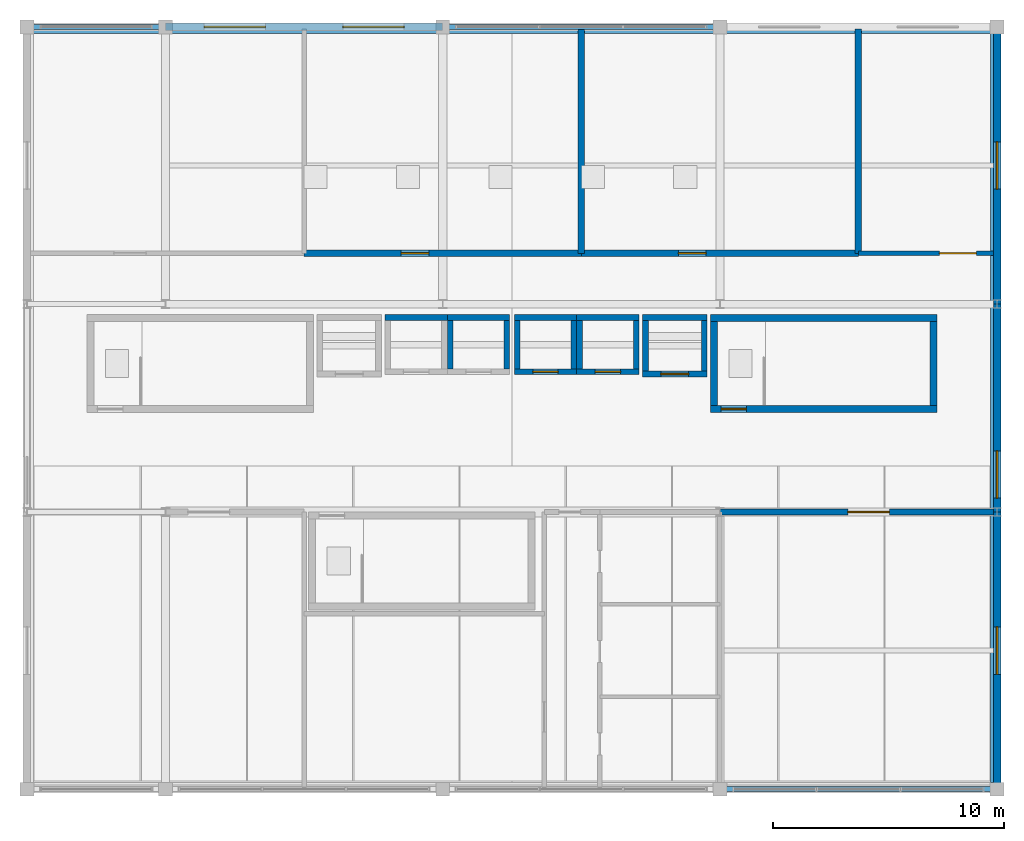
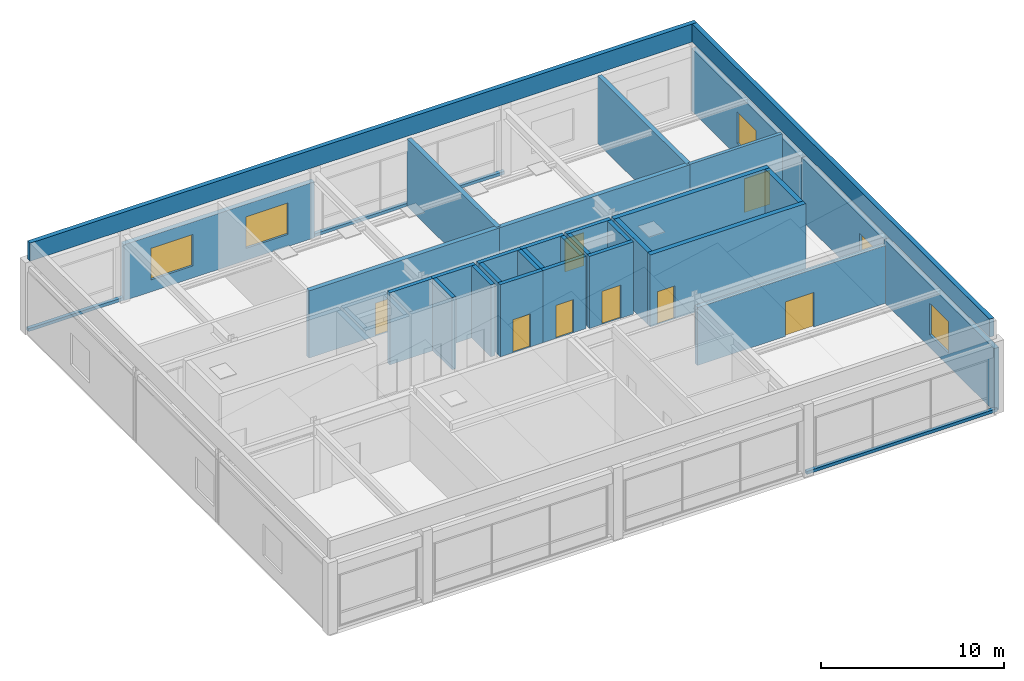
# One storey, part 14 of 16: 35 walls, 8 doors, 5 windows, 13 openings.
"""IFC4 building model written with IfcOpenShell, lengths in metres."""

from ifc_helpers import new_model, si_unit, direction, frame, frame_2d, origin, place, context, subcontext, project, spatial, rectangle, extrude, material, layer, layer_set, type_object, element, fill, save


model = new_model("IFC4")

# Units and contexts
model_context = context("Model", 3, precision=1e-05, world=origin(), true_north=direction((0.0, 1.0)))
body_context = subcontext(model_context, "Body", "Model", "MODEL_VIEW")
ifc_project = project(units=[si_unit("LENGTHUNIT", "METRE"), si_unit("AREAUNIT", "SQUARE_METRE"), si_unit("VOLUMEUNIT", "CUBIC_METRE"), si_unit("PLANEANGLEUNIT", "RADIAN"), si_unit("MASSUNIT", "GRAM", prefix="KILO")], contexts=[model_context])

# Site, building, storey
site_placement = place(None, origin())
site = spatial("IfcSite", under=ifc_project, at=site_placement, CompositionType="ELEMENT")
building_placement = place(site_placement, origin())
building = spatial("IfcBuilding", under=site, at=building_placement, Name="Kaldorvane Square Convention Centre", CompositionType="ELEMENT")
storey_placement = place(building_placement, frame((0.0, 0.0, 70.80000305175781)))
storey = spatial("IfcBuildingStorey", under=building, at=storey_placement, Name="L17", CompositionType="ELEMENT", Elevation=70.80000305175781)

# Wall, opening, door
ifc_material_1 = material(Name="Reinforced Concrete Masonry Acoustic Partition", Category="masonry")
ifc_layer_1 = layer(ifc_material_1, 0.279998779296875)
ifc_layer_set_1 = layer_set([ifc_layer_1], Name="Reinforced Concrete Masonry Acoustic Partition")
wall_type_1 = type_object("IfcWallType", Name="WL-ACO-280", PredefinedType="PARTITIONING", material=ifc_layer_set_1)
wall_1_placement = place(storey_placement, frame((77.83999633789062, 96.0, 0.0), z_axis=(0.0, 0.0, 1.0), x_axis=(-1.0, 0.0, 0.0)))
wall_1 = element("IfcWall", 1, at=wall_1_placement, inside=storey, type_object=wall_type_1, Name="Kaldorvane Rooftop Banquet Salon N Wall", PredefinedType="PARTITIONING", context=body_context, shape_type="SweptSolid", body=[
    extrude(rectangle(XDim=11.839996337890625, YDim=0.279998779296875, at=frame_2d((5.9199981689453125, 0.0))), origin(), (0.0, 0.0, 1.0), 3.85400390625),
])
opening_1_placement = place(wall_1_placement, frame((4.5, 0.0, 0.0)))
opening_1 = element("IfcOpeningElement", 2, at=opening_1_placement, cuts=wall_1, Name="Opening ID-15", PredefinedType="OPENING", context=body_context, shape_type="SweptSolid", body=[
    extrude(rectangle(XDim=1.8000030517578125, YDim=2.3000030517578125, at=frame_2d((0.899993896484375, 1.149993896484375))), frame((0.0, 0.154998779296875, 0.0), z_axis=(0.0, -1.0, 0.0), x_axis=(1.0, 0.0, 0.0)), (0.0, 0.0, 1.0), 0.30999755859375),
])
ifc_material_2 = material(Name="Acoustic Laminated Glass in Aluminum Frame", Category="aluminium")
door_type_1 = type_object("IfcDoorType", Name="DR-GL-1800X2300", OperationType="DOUBLE_DOOR_SINGLE_SWING", PredefinedType="DOOR", material=ifc_material_2)
door_1_placement = place(opening_1_placement, origin())
door_1 = element("IfcDoor", 3, at=door_1_placement, inside=storey, type_object=door_type_1, Name="Kaldorvane Rooftop Banquet Salon Door 1", OperationType="DOUBLE_DOOR_SINGLE_SWING", OverallHeight=2.3000030517578125, OverallWidth=1.8000030517578125, PredefinedType="DOOR", context=body_context, shape_type="SweptSolid", body=[
    extrude(rectangle(XDim=1.8000030517578125, YDim=2.3000030517578125, at=frame_2d((0.899993896484375, 1.149993896484375))), frame((0.0, 0.024993896484375, 0.0), z_axis=(0.0, -1.0, 0.0), x_axis=(1.0, 0.0, 0.0)), (0.0, 0.0, 1.0), 0.0500030517578125),
])
fill(opening_1, door_1)

wall_2_placement = place(storey_placement, frame((48.0, 107.19999694824219, 0.0), z_axis=(0.0, 0.0, 1.0), x_axis=(1.0, 0.0, 0.0)))
wall_2 = element("IfcWall", 4, at=wall_2_placement, inside=storey, type_object=wall_type_1, Name="Crown Chiller and Air-Handling Plant Room S Wall", PredefinedType="PARTITIONING", context=body_context, shape_type="SweptSolid", body=[
    extrude(rectangle(XDim=12.0, YDim=0.279998779296875, at=frame_2d((6.0, 0.0))), origin(), (0.0, 0.0, 1.0), 4.4799957275390625),
])
opening_2_placement = place(wall_2_placement, frame((4.1999969482421875, 0.0, 0.0)))
opening_2 = element("IfcOpeningElement", 5, at=opening_2_placement, cuts=wall_2, Name="Opening ID-14", PredefinedType="OPENING", context=body_context, shape_type="SweptSolid", body=[
    extrude(rectangle(XDim=1.1999969482421875, YDim=2.1999969482421875, at=frame_2d((0.600006103515625, 1.100006103515625))), frame((0.0, 0.154998779296875, 0.0), z_axis=(0.0, -1.0, 0.0), x_axis=(1.0, 0.0, 0.0)), (0.0, 0.0, 1.0), 0.30999755859375),
])
ifc_material_3 = material(Name="Insulated Hollow Metal Steel", Category="steel")
door_type_2 = type_object("IfcDoorType", Name="DR-PLANT-1200X2200", OperationType="SINGLE_SWING_LEFT", PredefinedType="DOOR", material=ifc_material_3)
door_2_placement = place(opening_2_placement, origin())
door_2 = element("IfcDoor", 6, at=door_2_placement, inside=storey, type_object=door_type_2, Name="Crown Chiller and Air-Handling Plant Room Door 1", OperationType="SINGLE_SWING_LEFT", OverallHeight=2.1999969482421875, OverallWidth=1.1999969482421875, PredefinedType="DOOR", context=body_context, shape_type="SweptSolid", body=[
    extrude(rectangle(XDim=1.1999969482421875, YDim=2.1999969482421875, at=frame_2d((0.600006103515625, 1.100006103515625))), frame((0.0, 0.024993896484375, 0.0), z_axis=(0.0, -1.0, 0.0), x_axis=(1.0, 0.0, 0.0)), (0.0, 0.0, 1.0), 0.0500030517578125),
])
fill(opening_2, door_2)

# Wall
wall_3_placement = place(storey_placement, frame((60.0, 107.19999694824219, 0.0), z_axis=(0.0, 0.0, 1.0), x_axis=(0.0, 1.0, 0.0)))
element("IfcWall", 7, at=wall_3_placement, inside=storey, type_object=wall_type_1, Name="Crown Chiller and Air-Handling Plant Room E Wall", PredefinedType="PARTITIONING", context=body_context, shape_type="SweptSolid", body=[
    extrude(rectangle(XDim=9.714996337890625, YDim=0.279998779296875, at=frame_2d((4.8574981689453125, 0.0))), origin(), (0.0, 0.0, 1.0), 4.4799957275390625),
])

# Wall, opening, door
wall_4_placement = place(storey_placement, frame((60.0, 107.19999694824219, 0.0), z_axis=(0.0, 0.0, 1.0), x_axis=(1.0, 0.0, 0.0)))
wall_4 = element("IfcWall", 8, at=wall_4_placement, inside=storey, type_object=wall_type_1, Name="Crown Elevator Machine and Boiler Plant Room S Wall", PredefinedType="PARTITIONING", context=body_context, shape_type="SweptSolid", body=[
    extrude(rectangle(XDim=12.0, YDim=0.279998779296875, at=frame_2d((6.0, 0.0))), origin(), (0.0, 0.0, 1.0), 4.4799957275390625),
])
opening_3_placement = place(wall_4_placement, frame((4.1999969482421875, 0.0, 0.0)))
opening_3 = element("IfcOpeningElement", 9, at=opening_3_placement, cuts=wall_4, Name="Opening ID-14", PredefinedType="OPENING", context=body_context, shape_type="SweptSolid", body=[
    extrude(rectangle(XDim=1.1999969482421875, YDim=2.1999969482421875, at=frame_2d((0.600006103515625, 1.100006103515625))), frame((0.0, 0.154998779296875, 0.0), z_axis=(0.0, -1.0, 0.0), x_axis=(1.0, 0.0, 0.0)), (0.0, 0.0, 1.0), 0.30999755859375),
])
door_3_placement = place(opening_3_placement, origin())
door_3 = element("IfcDoor", 10, at=door_3_placement, inside=storey, type_object=door_type_2, Name="Crown Elevator Machine and Boiler Plant Room Door 1", OperationType="SINGLE_SWING_LEFT", OverallHeight=2.1999969482421875, OverallWidth=1.1999969482421875, PredefinedType="DOOR", context=body_context, shape_type="SweptSolid", body=[
    extrude(rectangle(XDim=1.1999969482421875, YDim=2.1999969482421875, at=frame_2d((0.600006103515625, 1.100006103515625))), frame((0.0, 0.024993896484375, 0.0), z_axis=(0.0, -1.0, 0.0), x_axis=(1.0, 0.0, 0.0)), (0.0, 0.0, 1.0), 0.0500030517578125),
])
fill(opening_3, door_3)

# Wall
wall_5_placement = place(storey_placement, frame((72.0, 107.19999694824219, 0.0), z_axis=(0.0, 0.0, 1.0), x_axis=(0.0, 1.0, 0.0)))
element("IfcWall", 11, at=wall_5_placement, inside=storey, type_object=wall_type_1, Name="Crown Elevator Machine and Boiler Plant Room E Wall", PredefinedType="PARTITIONING", context=body_context, shape_type="SweptSolid", body=[
    extrude(rectangle(XDim=9.714996337890625, YDim=0.279998779296875, at=frame_2d((4.8574981689453125, 0.0))), origin(), (0.0, 0.0, 1.0), 4.4799957275390625),
])

# Wall, opening, door
ifc_material_4 = material(Name="Fire-Rated Gypsum Board on Acoustic Steel Studs", Category="steel")
ifc_layer_2 = layer(ifc_material_4, 0.1999969482421875)
ifc_layer_set_2 = layer_set([ifc_layer_2], Name="Fire-Rated Gypsum Board on Acoustic Steel Studs")
wall_type_2 = type_object("IfcWallType", Name="WL-CORR-200", PredefinedType="PARTITIONING", material=ifc_layer_set_2)
wall_6_placement = place(storey_placement, frame((72.0, 107.19999694824219, 0.0), z_axis=(0.0, 0.0, 1.0), x_axis=(1.0, 0.0, 0.0)))
wall_6 = element("IfcWall", 12, at=wall_6_placement, inside=storey, type_object=wall_type_2, Name="Skyline Observatory Boardroom S Wall", PredefinedType="PARTITIONING", context=body_context, shape_type="SweptSolid", body=[
    extrude(rectangle(XDim=5.839996337890625, YDim=0.1999969482421875, at=frame_2d((2.9199981689453125, 0.0))), origin(), (0.0, 0.0, 1.0), 4.4799957275390625),
])
opening_4_placement = place(wall_6_placement, frame((3.5, 0.0, 0.0)))
opening_4 = element("IfcOpeningElement", 13, at=opening_4_placement, cuts=wall_6, Name="Opening ID-07", PredefinedType="OPENING", context=body_context, shape_type="SweptSolid", body=[
    extrude(rectangle(XDim=1.600006103515625, YDim=2.25, at=frame_2d((0.8000030517578125, 1.125))), frame((0.0, 0.114990234375, 0.0), z_axis=(0.0, -1.0, 0.0), x_axis=(1.0, 0.0, 0.0)), (0.0, 0.0, 1.0), 0.2299957275390625),
])
ifc_material_5 = material(Name="Architectural Solid-Core White Oak")
door_type_3 = type_object("IfcDoorType", Name="DR-MEET-1600X2250", OperationType="DOUBLE_DOOR_SINGLE_SWING", PredefinedType="DOOR", material=ifc_material_5)
door_4_placement = place(opening_4_placement, origin())
door_4 = element("IfcDoor", 14, at=door_4_placement, inside=storey, type_object=door_type_3, Name="Skyline Observatory Boardroom Door 1", OperationType="DOUBLE_DOOR_SINGLE_SWING", OverallHeight=2.25, OverallWidth=1.600006103515625, PredefinedType="DOOR", context=body_context, shape_type="SweptSolid", body=[
    extrude(rectangle(XDim=1.600006103515625, YDim=2.25, at=frame_2d((0.8000030517578125, 1.125))), frame((0.0, 0.024993896484375, 0.0), z_axis=(0.0, -1.0, 0.0), x_axis=(1.0, 0.0, 0.0)), (0.0, 0.0, 1.0), 0.0500030517578125),
])
fill(opening_4, door_4)

# Wall, openings, windows
ifc_material_6 = material(Name="Concrete f'c = 35 MPa (Normalweight)", Category="concrete")
ifc_layer_3 = layer(ifc_material_6, 0.32000732421875)
ifc_layer_set_3 = layer_set([ifc_layer_3], Name="Concrete f'c = 35 MPa (Normalweight)")
wall_type_3 = type_object("IfcWallType", Name="WL-EXT-320", PredefinedType="STANDARD", material=ifc_layer_set_3)
wall_7_placement = place(storey_placement, frame((54.0, 117.0, 0.0), z_axis=(0.0, 0.0, 1.0), x_axis=(-1.0, 0.0, 0.0)))
wall_7 = element("IfcWall", 15, at=wall_7_placement, inside=storey, type_object=wall_type_3, Name="Hotel N Brutalist Facade Wall (L17)", PredefinedType="STANDARD", context=body_context, shape_type="SweptSolid", body=[
    extrude(rectangle(XDim=12.0, YDim=0.32000732421875, at=frame_2d((6.0, 0.0))), origin(), (0.0, 0.0, 1.0), 3.7259979248046875),
])
opening_5_placement = place(wall_7_placement, frame((1.6750030517578125, 0.0, 0.8000030517578125)))
opening_5 = element("IfcOpeningElement", 16, at=opening_5_placement, cuts=wall_7, Name="Opening W-27", PredefinedType="OPENING", context=body_context, shape_type="SweptSolid", body=[
    extrude(rectangle(XDim=2.649993896484375, YDim=2.100006103515625, at=frame_2d((1.3249969482421875, 1.0500030517578125))), frame((0.0, 0.1750030517578125, 0.0), z_axis=(0.0, -1.0, 0.0), x_axis=(1.0, 0.0, 0.0)), (0.0, 0.0, 1.0), 0.350006103515625),
])
opening_6_placement = place(wall_7_placement, frame((7.6750030517578125, 0.0, 0.8000030517578125)))
opening_6 = element("IfcOpeningElement", 17, at=opening_6_placement, cuts=wall_7, Name="Opening W-27", PredefinedType="OPENING", context=body_context, shape_type="SweptSolid", body=[
    extrude(rectangle(XDim=2.649993896484375, YDim=2.100006103515625, at=frame_2d((1.3249969482421875, 1.0500030517578125))), frame((0.0, 0.1750030517578125, 0.0), z_axis=(0.0, -1.0, 0.0), x_axis=(1.0, 0.0, 0.0)), (0.0, 0.0, 1.0), 0.350006103515625),
])
ifc_material_7 = material(Name="Anodized Aluminum and Low-E Insulated Glazing", Category="aluminium")
window_type_1 = type_object("IfcWindowType", Name="WN-PNT-2650X2100", PartitioningType="DOUBLE_PANEL_VERTICAL", PredefinedType="WINDOW", material=ifc_material_7)
window_1_placement = place(opening_5_placement, origin())
window_1 = element("IfcWindow", 18, at=window_1_placement, inside=storey, type_object=window_type_1, Name="Hotel N Window (L17)", OverallHeight=2.100006103515625, OverallWidth=2.649993896484375, PartitioningType="DOUBLE_PANEL_VERTICAL", PredefinedType="WINDOW", context=body_context, shape_type="SweptSolid", body=[
    extrude(rectangle(XDim=2.649993896484375, YDim=2.100006103515625, at=frame_2d((1.3249969482421875, 1.0500030517578125))), frame((0.0, 0.029998779296875, 0.0), z_axis=(0.0, -1.0, 0.0), x_axis=(1.0, 0.0, 0.0)), (0.0, 0.0, 1.0), 0.05999755859375),
])
fill(opening_5, window_1)
window_2_placement = place(opening_6_placement, origin())
window_2 = element("IfcWindow", 19, at=window_2_placement, inside=storey, type_object=window_type_1, Name="Hotel N Window (L17)", OverallHeight=2.100006103515625, OverallWidth=2.649993896484375, PartitioningType="DOUBLE_PANEL_VERTICAL", PredefinedType="WINDOW", context=body_context, shape_type="SweptSolid", body=[
    extrude(rectangle(XDim=2.649993896484375, YDim=2.100006103515625, at=frame_2d((1.3249969482421875, 1.0500030517578125))), frame((0.0, 0.029998779296875, 0.0), z_axis=(0.0, -1.0, 0.0), x_axis=(1.0, 0.0, 0.0)), (0.0, 0.0, 1.0), 0.05999755859375),
])
fill(opening_6, window_2)

# Wall, opening, window
wall_8_placement = place(storey_placement, frame((78.0, 84.0, 0.0), z_axis=(0.0, 0.0, 1.0), x_axis=(0.0, 1.0, 0.0)))
wall_8 = element("IfcWall", 20, at=wall_8_placement, inside=storey, type_object=wall_type_3, Name="Hotel E End Wall (L17)", PredefinedType="STANDARD", context=body_context, shape_type="SweptSolid", body=[
    extrude(rectangle(XDim=12.0, YDim=0.32000732421875, at=frame_2d((6.0, 0.0))), origin(), (0.0, 0.0, 1.0), 4.170989990234375),
])
opening_7_placement = place(wall_8_placement, frame((4.975006103515625, 0.0, 0.850006103515625)))
opening_7 = element("IfcOpeningElement", 21, at=opening_7_placement, cuts=wall_8, Name="Opening W-28", PredefinedType="OPENING", context=body_context, shape_type="SweptSolid", body=[
    extrude(rectangle(XDim=2.0500030517578125, YDim=2.100006103515625, at=frame_2d((1.024993896484375, 1.0500030517578125))), frame((0.0, 0.1750030517578125, 0.0), z_axis=(0.0, -1.0, 0.0), x_axis=(1.0, 0.0, 0.0)), (0.0, 0.0, 1.0), 0.350006103515625),
])
window_type_2 = type_object("IfcWindowType", Name="WN-PNT-2050X2100", PartitioningType="DOUBLE_PANEL_VERTICAL", PredefinedType="WINDOW", material=ifc_material_7)
window_3_placement = place(opening_7_placement, origin())
window_3 = element("IfcWindow", 22, at=window_3_placement, inside=storey, type_object=window_type_2, Name="Hotel End Window E (L17)", OverallHeight=2.100006103515625, OverallWidth=2.0500030517578125, PartitioningType="DOUBLE_PANEL_VERTICAL", PredefinedType="WINDOW", context=body_context, shape_type="SweptSolid", body=[
    extrude(rectangle(XDim=2.0500030517578125, YDim=2.100006103515625, at=frame_2d((1.024993896484375, 1.0500030517578125))), frame((0.0, 0.029998779296875, 0.0), z_axis=(0.0, -1.0, 0.0), x_axis=(1.0, 0.0, 0.0)), (0.0, 0.0, 1.0), 0.05999755859375),
])
fill(opening_7, window_3)

wall_9_placement = place(storey_placement, frame((78.0, 96.0, 0.0), z_axis=(0.0, 0.0, 1.0), x_axis=(0.0, 1.0, 0.0)))
wall_9 = element("IfcWall", 23, at=wall_9_placement, inside=storey, type_object=wall_type_3, Name="Hotel E End Wall (L17)", PredefinedType="STANDARD", context=body_context, shape_type="SweptSolid", body=[
    extrude(rectangle(XDim=9.0, YDim=0.32000732421875, at=frame_2d((4.5, 0.0))), origin(), (0.0, 0.0, 1.0), 4.170989990234375),
])
opening_8_placement = place(wall_9_placement, frame((0.600006103515625, 0.0, 0.850006103515625)))
opening_8 = element("IfcOpeningElement", 24, at=opening_8_placement, cuts=wall_9, Name="Opening W-28", PredefinedType="OPENING", context=body_context, shape_type="SweptSolid", body=[
    extrude(rectangle(XDim=2.0500030517578125, YDim=2.100006103515625, at=frame_2d((1.024993896484375, 1.0500030517578125))), frame((0.0, 0.1750030517578125, 0.0), z_axis=(0.0, -1.0, 0.0), x_axis=(1.0, 0.0, 0.0)), (0.0, 0.0, 1.0), 0.350006103515625),
])
window_4_placement = place(opening_8_placement, origin())
window_4 = element("IfcWindow", 25, at=window_4_placement, inside=storey, type_object=window_type_2, Name="Hotel End Window E (L17)", OverallHeight=2.100006103515625, OverallWidth=2.0500030517578125, PartitioningType="DOUBLE_PANEL_VERTICAL", PredefinedType="WINDOW", context=body_context, shape_type="SweptSolid", body=[
    extrude(rectangle(XDim=2.0500030517578125, YDim=2.100006103515625, at=frame_2d((1.024993896484375, 1.0500030517578125))), frame((0.0, 0.029998779296875, 0.0), z_axis=(0.0, -1.0, 0.0), x_axis=(1.0, 0.0, 0.0)), (0.0, 0.0, 1.0), 0.05999755859375),
])
fill(opening_8, window_4)

wall_10_placement = place(storey_placement, frame((78.0, 105.0, 0.0), z_axis=(0.0, 0.0, 1.0), x_axis=(0.0, 1.0, 0.0)))
wall_10 = element("IfcWall", 26, at=wall_10_placement, inside=storey, type_object=wall_type_3, Name="Hotel E End Wall (L17)", PredefinedType="STANDARD", context=body_context, shape_type="SweptSolid", body=[
    extrude(rectangle(XDim=12.0, YDim=0.32000732421875, at=frame_2d((6.0, 0.0))), origin(), (0.0, 0.0, 1.0), 4.170989990234375),
])
opening_9_placement = place(wall_10_placement, frame((4.975006103515625, 0.0, 0.850006103515625)))
opening_9 = element("IfcOpeningElement", 27, at=opening_9_placement, cuts=wall_10, Name="Opening W-28", PredefinedType="OPENING", context=body_context, shape_type="SweptSolid", body=[
    extrude(rectangle(XDim=2.0500030517578125, YDim=2.100006103515625, at=frame_2d((1.024993896484375, 1.0500030517578125))), frame((0.0, 0.1750030517578125, 0.0), z_axis=(0.0, -1.0, 0.0), x_axis=(1.0, 0.0, 0.0)), (0.0, 0.0, 1.0), 0.350006103515625),
])
window_5_placement = place(opening_9_placement, origin())
window_5 = element("IfcWindow", 28, at=window_5_placement, inside=storey, type_object=window_type_2, Name="Hotel End Window E (L17)", OverallHeight=2.100006103515625, OverallWidth=2.0500030517578125, PartitioningType="DOUBLE_PANEL_VERTICAL", PredefinedType="WINDOW", context=body_context, shape_type="SweptSolid", body=[
    extrude(rectangle(XDim=2.0500030517578125, YDim=2.100006103515625, at=frame_2d((1.024993896484375, 1.0500030517578125))), frame((0.0, 0.029998779296875, 0.0), z_axis=(0.0, -1.0, 0.0), x_axis=(1.0, 0.0, 0.0)), (0.0, 0.0, 1.0), 0.05999755859375),
])
fill(opening_9, window_5)

# Walls
ifc_layer_4 = layer(ifc_material_6, 0.220001220703125)
ifc_layer_set_4 = layer_set([ifc_layer_4], Name="Concrete f'c = 35 MPa (Normalweight)")
wall_type_4 = type_object("IfcWallType", Name="WL-PAR-220", PredefinedType="PARAPET", material=ifc_layer_set_4)
wall_11_placement = place(storey_placement, frame((66.0, 84.0, 0.0), z_axis=(0.0, 0.0, 1.0), x_axis=(1.0, 0.0, 0.0)))
element("IfcWall", 29, at=wall_11_placement, inside=storey, type_object=wall_type_4, Name="Penthouse Glazing Sill (S)", PredefinedType="PARAPET", context=body_context, shape_type="SweptSolid", body=[
    extrude(rectangle(XDim=12.0, YDim=0.220001220703125, at=frame_2d((6.0, 0.0))), origin(), (0.0, 0.0, 1.0), 0.1999969482421875),
])
wall_12_placement = place(storey_placement, frame((42.0, 117.0, 0.0), z_axis=(0.0, 0.0, 1.0), x_axis=(-1.0, 0.0, 0.0)))
element("IfcWall", 30, at=wall_12_placement, inside=storey, type_object=wall_type_4, Name="Penthouse Glazing Sill (N)", PredefinedType="PARAPET", context=body_context, shape_type="SweptSolid", body=[
    extrude(rectangle(XDim=6.0, YDim=0.220001220703125, at=frame_2d((3.0, 0.0))), origin(), (0.0, 0.0, 1.0), 0.1999969482421875),
])
wall_13_placement = place(storey_placement, frame((66.0, 117.0, 0.0), z_axis=(0.0, 0.0, 1.0), x_axis=(-1.0, 0.0, 0.0)))
element("IfcWall", 31, at=wall_13_placement, inside=storey, type_object=wall_type_4, Name="Penthouse Glazing Sill (N)", PredefinedType="PARAPET", context=body_context, shape_type="SweptSolid", body=[
    extrude(rectangle(XDim=12.0, YDim=0.220001220703125, at=frame_2d((6.0, 0.0))), origin(), (0.0, 0.0, 1.0), 0.1999969482421875),
])
ifc_layer_5 = layer(ifc_material_6, 0.279998779296875)
ifc_layer_set_5 = layer_set([ifc_layer_5], Name="Concrete f'c = 35 MPa (Normalweight)")
wall_type_5 = type_object("IfcWallType", Name="WL-PAR-280", PredefinedType="PARAPET", material=ifc_layer_set_5)
wall_14_placement = place(storey_placement, frame((77.86000061035156, 84.27999877929688, 4.8000030517578125), z_axis=(0.0, 0.0, 1.0), x_axis=(0.0, 1.0, 0.0)))
element("IfcWall", 32, at=wall_14_placement, inside=storey, type_object=wall_type_5, Name="Tower Crown Roof Parapet E", PredefinedType="PARAPET", context=body_context, shape_type="SweptSolid", body=[
    extrude(rectangle(XDim=32.44000244140625, YDim=0.279998779296875, at=frame_2d((16.220001220703125, 0.0))), origin(), (0.0, 0.0, 1.0), 1.1999969482421875),
])
wall_15_placement = place(storey_placement, frame((78.0, 116.86000061035156, 4.8000030517578125), z_axis=(0.0, 0.0, 1.0), x_axis=(-1.0, 0.0, 0.0)))
element("IfcWall", 33, at=wall_15_placement, inside=storey, type_object=wall_type_5, Name="Tower Crown Roof Parapet N", PredefinedType="PARAPET", context=body_context, shape_type="SweptSolid", body=[
    extrude(rectangle(XDim=42.0, YDim=0.279998779296875, at=frame_2d((21.0, 0.0))), origin(), (0.0, 0.0, 1.0), 1.1999969482421875),
])

# Wall, opening, door
ifc_material_8 = material(Name="Concrete f'c = 55 MPa (Normalweight)", Category="concrete")
ifc_layer_6 = layer(ifc_material_8, 0.3000030517578125)
ifc_layer_set_6 = layer_set([ifc_layer_6], Name="Concrete f'c = 55 MPa (Normalweight)")
wall_type_6 = type_object("IfcWallType", Name="WL-SHAFT-300", PredefinedType="SHEAR", material=ifc_layer_set_6)
wall_16_placement = place(storey_placement, frame((65.60000610351562, 100.46000671386719, 0.0), z_axis=(0.0, 0.0, 1.0), x_axis=(1.0, 0.0, 0.0)))
wall_16 = element("IfcWall", 34, at=wall_16_placement, inside=storey, type_object=wall_type_6, Name="Core Enclosure Wall stair:ST-T2-S (L17)", PredefinedType="SHEAR", context=body_context, shape_type="SweptSolid", body=[
    extrude(rectangle(XDim=9.79998779296875, YDim=0.3000030517578125, at=frame_2d((4.899993896484375, 0.0))), origin(), (0.0, 0.0, 1.0), 4.8000030517578125),
])
opening_10_placement = place(wall_16_placement, frame((0.4499969482421875, 0.0, 0.0)))
opening_10 = element("IfcOpeningElement", 35, at=opening_10_placement, cuts=wall_16, Name="Opening FD90-S1", PredefinedType="OPENING", context=body_context, shape_type="SweptSolid", body=[
    extrude(rectangle(XDim=1.100006103515625, YDim=2.1999969482421875, at=frame_2d((0.5500030517578125, 1.100006103515625))), frame((0.0, 0.165008544921875, 0.0), z_axis=(0.0, -1.0, 0.0), x_axis=(1.0, 0.0, 0.0)), (0.0, 0.0, 1.0), 0.3300018310546875),
])
ifc_material_9 = material(Name="Fire-Rated Hollow Metal Steel", Category="steel")
door_type_4 = type_object("IfcDoorType", Name="DR-STAIR-1100", OperationType="SINGLE_SWING_RIGHT", PredefinedType="DOOR", material=ifc_material_9)
door_5_placement = place(opening_10_placement, origin())
door_5 = element("IfcDoor", 36, at=door_5_placement, inside=storey, type_object=door_type_4, Name="Tower Exit Stair T2 Fire Door (L17)", OperationType="SINGLE_SWING_RIGHT", OverallHeight=2.1999969482421875, OverallWidth=1.100006103515625, PredefinedType="DOOR", context=body_context, shape_type="SweptSolid", body=[
    extrude(rectangle(XDim=1.100006103515625, YDim=2.1999969482421875, at=frame_2d((0.5500030517578125, 1.100006103515625))), frame((0.0, 0.024993896484375, 0.0), z_axis=(0.0, -1.0, 0.0), x_axis=(1.0, 0.0, 0.0)), (0.0, 0.0, 1.0), 0.0500030517578125),
])
fill(opening_10, door_5)

# Walls
wall_17_placement = place(storey_placement, frame((75.39999389648438, 104.39999389648438, 0.0), z_axis=(0.0, 0.0, 1.0), x_axis=(-1.0, 0.0, 0.0)))
element("IfcWall", 37, at=wall_17_placement, inside=storey, type_object=wall_type_6, Name="Core Enclosure Wall stair:ST-T2-N (L17)", PredefinedType="SHEAR", context=body_context, shape_type="SweptSolid", body=[
    extrude(rectangle(XDim=9.79998779296875, YDim=0.3000030517578125, at=frame_2d((4.899993896484375, 0.0))), origin(), (0.0, 0.0, 1.0), 4.8000030517578125),
])
for number, where, z_axis, x_axis, name in (
    (38, (65.75, 104.25, 0.0), (0.0, 0.0, 1.0), (0.0, -1.0, 0.0), "Core Enclosure Wall stair:ST-T2-W (L17)"),
    (39, (75.25, 100.61000061035156, 0.0), (0.0, 0.0, 1.0), (0.0, 1.0, 0.0), "Core Enclosure Wall stair:ST-T2-E (L17)"),
):
    element("IfcWall", number, at=place(storey_placement, frame(where, z_axis=z_axis, x_axis=x_axis)), inside=storey, type_object=wall_type_6, Name=name, PredefinedType="SHEAR", context=body_context, shape_type="SweptSolid", body=[
        extrude(rectangle(XDim=3.6399993896484375, YDim=0.3000030517578125, at=frame_2d((1.82000732421875, 0.0))), origin(), (0.0, 0.0, 1.0), 4.8000030517578125),
    ])

# Wall, opening, door
wall_18_placement = place(storey_placement, frame((62.649993896484375, 101.97500610351562, 0.0), z_axis=(0.0, 0.0, 1.0), x_axis=(1.0, 0.0, 0.0)))
wall_18 = element("IfcWall", 40, at=wall_18_placement, inside=storey, type_object=wall_type_6, Name="Core Enclosure Wall lift:FSAE-02-S (L17)", PredefinedType="SHEAR", context=body_context, shape_type="SweptSolid", body=[
    extrude(rectangle(XDim=2.8000030517578125, YDim=0.25, at=frame_2d((1.399993896484375, 0.0))), origin(), (0.0, 0.0, 1.0), 4.8000030517578125),
])
opening_11_placement = place(wall_18_placement, frame((0.8000030517578125, 0.0, 0.0)))
opening_11 = element("IfcOpeningElement", 41, at=opening_11_placement, cuts=wall_18, Name="Opening LD-02", PredefinedType="OPENING", context=body_context, shape_type="SweptSolid", body=[
    extrude(rectangle(XDim=1.1999969482421875, YDim=2.1999969482421875, at=frame_2d((0.600006103515625, 1.100006103515625))), frame((0.0, 0.1399993896484375, 0.0), z_axis=(0.0, -1.0, 0.0), x_axis=(1.0, 0.0, 0.0)), (0.0, 0.0, 1.0), 0.279998779296875),
])
ifc_material_10 = material(Name="Stainless Steel Elevator Door Assembly", Category="steel")
door_type_5 = type_object("IfcDoorType", Name="DR-LIFT-1200", OperationType="DOUBLE_DOOR_SLIDING", PredefinedType="DOOR", material=ifc_material_10)
door_6_placement = place(opening_11_placement, origin())
door_6 = element("IfcDoor", 42, at=door_6_placement, inside=storey, type_object=door_type_5, Name="Elevator Landing Door FSAE-02 (L17)", OperationType="DOUBLE_DOOR_SLIDING", OverallHeight=2.1999969482421875, OverallWidth=1.1999969482421875, PredefinedType="DOOR", context=body_context, shape_type="SweptSolid", body=[
    extrude(rectangle(XDim=1.1999969482421875, YDim=2.1999969482421875, at=frame_2d((0.600006103515625, 1.100006103515625))), frame((0.0, 0.024993896484375, 0.0), z_axis=(0.0, -1.0, 0.0), x_axis=(1.0, 0.0, 0.0)), (0.0, 0.0, 1.0), 0.0500030517578125),
])
fill(opening_11, door_6)

# Walls
wall_19_placement = place(storey_placement, frame((65.44999694824219, 104.42500305175781, 0.0), z_axis=(0.0, 0.0, 1.0), x_axis=(-1.0, 0.0, 0.0)))
element("IfcWall", 43, at=wall_19_placement, inside=storey, type_object=wall_type_6, Name="Core Enclosure Wall lift:FSAE-02-N (L17)", PredefinedType="SHEAR", context=body_context, shape_type="SweptSolid", body=[
    extrude(rectangle(XDim=2.8000030517578125, YDim=0.25, at=frame_2d((1.399993896484375, 0.0))), origin(), (0.0, 0.0, 1.0), 4.8000030517578125),
])
for number, where, z_axis, x_axis, name in (
    (44, (62.774993896484375, 104.30000305175781, 0.0), (0.0, 0.0, 1.0), (0.0, -1.0, 0.0), "Core Enclosure Wall lift:FSAE-02-W (L17)"),
    (45, (65.32499694824219, 102.10000610351562, 0.0), (0.0, 0.0, 1.0), (0.0, 1.0, 0.0), "Core Enclosure Wall lift:FSAE-02-E (L17)"),
):
    element("IfcWall", number, at=place(storey_placement, frame(where, z_axis=z_axis, x_axis=x_axis)), inside=storey, type_object=wall_type_6, Name=name, PredefinedType="SHEAR", context=body_context, shape_type="SweptSolid", body=[
        extrude(rectangle(XDim=2.1999969482421875, YDim=0.25, at=frame_2d((1.100006103515625, 0.0))), origin(), (0.0, 0.0, 1.0), 4.8000030517578125),
    ])
for number, where, z_axis, x_axis, name in (
    (46, (54.19999694824219, 104.42500305175781, 0.0), (0.0, 0.0, 1.0), (-1.0, 0.0, 0.0), "Core Enclosure Wall lift:EL-P1-N (L17)"),
    (47, (56.899993896484375, 104.42500305175781, 0.0), (0.0, 0.0, 1.0), (-1.0, 0.0, 0.0), "Core Enclosure Wall lift:EL-P2-N (L17)"),
):
    element("IfcWall", number, at=place(storey_placement, frame(where, z_axis=z_axis, x_axis=x_axis)), inside=storey, type_object=wall_type_6, Name=name, PredefinedType="SHEAR", context=body_context, shape_type="SweptSolid", body=[
        extrude(rectangle(XDim=2.6999969482421875, YDim=0.25, at=frame_2d((1.350006103515625, 0.0))), origin(), (0.0, 0.0, 1.0), 4.8000030517578125),
    ])
for number, where, z_axis, x_axis, name in (
    (48, (54.32499694824219, 104.30000305175781, 0.0), (0.0, 0.0, 1.0), (0.0, -1.0, 0.0), "Core Enclosure Wall lift:EL-P2-W (L17)"),
    (49, (56.774993896484375, 102.19999694824219, 0.0), (0.0, 0.0, 1.0), (0.0, 1.0, 0.0), "Core Enclosure Wall lift:EL-P2-E (L17)"),
):
    element("IfcWall", number, at=place(storey_placement, frame(where, z_axis=z_axis, x_axis=x_axis)), inside=storey, type_object=wall_type_6, Name=name, PredefinedType="SHEAR", context=body_context, shape_type="SweptSolid", body=[
        extrude(rectangle(XDim=2.100006103515625, YDim=0.25, at=frame_2d((1.0500030517578125, 0.0))), origin(), (0.0, 0.0, 1.0), 4.8000030517578125),
    ])

# Wall, opening, door
wall_20_placement = place(storey_placement, frame((57.100006103515625, 102.07499694824219, 0.0), z_axis=(0.0, 0.0, 1.0), x_axis=(1.0, 0.0, 0.0)))
wall_20 = element("IfcWall", 50, at=wall_20_placement, inside=storey, type_object=wall_type_6, Name="Core Enclosure Wall lift:EL-P3-S (L17)", PredefinedType="SHEAR", context=body_context, shape_type="SweptSolid", body=[
    extrude(rectangle(XDim=2.6999969482421875, YDim=0.25, at=frame_2d((1.350006103515625, 0.0))), origin(), (0.0, 0.0, 1.0), 4.8000030517578125),
])
opening_12_placement = place(wall_20_placement, frame((0.8000030517578125, 0.0, 0.0)))
opening_12 = element("IfcOpeningElement", 51, at=opening_12_placement, cuts=wall_20, Name="Opening LD-01", PredefinedType="OPENING", context=body_context, shape_type="SweptSolid", body=[
    extrude(rectangle(XDim=1.100006103515625, YDim=2.1999969482421875, at=frame_2d((0.5500030517578125, 1.100006103515625))), frame((0.0, 0.1399993896484375, 0.0), z_axis=(0.0, -1.0, 0.0), x_axis=(1.0, 0.0, 0.0)), (0.0, 0.0, 1.0), 0.279998779296875),
])
door_type_6 = type_object("IfcDoorType", Name="DR-LIFT-1100", OperationType="DOUBLE_DOOR_SLIDING", PredefinedType="DOOR", material=ifc_material_10)
door_7_placement = place(opening_12_placement, origin())
door_7 = element("IfcDoor", 52, at=door_7_placement, inside=storey, type_object=door_type_6, Name="Elevator Landing Door EL-P3 (L17)", OperationType="DOUBLE_DOOR_SLIDING", OverallHeight=2.1999969482421875, OverallWidth=1.100006103515625, PredefinedType="DOOR", context=body_context, shape_type="SweptSolid", body=[
    extrude(rectangle(XDim=1.100006103515625, YDim=2.1999969482421875, at=frame_2d((0.5500030517578125, 1.100006103515625))), frame((0.0, 0.024993896484375, 0.0), z_axis=(0.0, -1.0, 0.0), x_axis=(1.0, 0.0, 0.0)), (0.0, 0.0, 1.0), 0.0500030517578125),
])
fill(opening_12, door_7)

# Walls
wall_21_placement = place(storey_placement, frame((59.80000305175781, 104.42500305175781, 0.0), z_axis=(0.0, 0.0, 1.0), x_axis=(-1.0, 0.0, 0.0)))
element("IfcWall", 53, at=wall_21_placement, inside=storey, type_object=wall_type_6, Name="Core Enclosure Wall lift:EL-P3-N (L17)", PredefinedType="SHEAR", context=body_context, shape_type="SweptSolid", body=[
    extrude(rectangle(XDim=2.6999969482421875, YDim=0.25, at=frame_2d((1.350006103515625, 0.0))), origin(), (0.0, 0.0, 1.0), 4.8000030517578125),
])
for number, where, z_axis, x_axis, name in (
    (54, (57.225006103515625, 104.30000305175781, 0.0), (0.0, 0.0, 1.0), (0.0, -1.0, 0.0), "Core Enclosure Wall lift:EL-P3-W (L17)"),
    (55, (59.67500305175781, 102.19999694824219, 0.0), (0.0, 0.0, 1.0), (0.0, 1.0, 0.0), "Core Enclosure Wall lift:EL-P3-E (L17)"),
):
    element("IfcWall", number, at=place(storey_placement, frame(where, z_axis=z_axis, x_axis=x_axis)), inside=storey, type_object=wall_type_6, Name=name, PredefinedType="SHEAR", context=body_context, shape_type="SweptSolid", body=[
        extrude(rectangle(XDim=2.100006103515625, YDim=0.25, at=frame_2d((1.0500030517578125, 0.0))), origin(), (0.0, 0.0, 1.0), 4.8000030517578125),
    ])

# Wall, opening, door
wall_22_placement = place(storey_placement, frame((59.80000305175781, 102.07499694824219, 0.0), z_axis=(0.0, 0.0, 1.0), x_axis=(1.0, 0.0, 0.0)))
wall_22 = element("IfcWall", 56, at=wall_22_placement, inside=storey, type_object=wall_type_6, Name="Core Enclosure Wall lift:EL-P4-S (L17)", PredefinedType="SHEAR", context=body_context, shape_type="SweptSolid", body=[
    extrude(rectangle(XDim=2.6999969482421875, YDim=0.25, at=frame_2d((1.350006103515625, 0.0))), origin(), (0.0, 0.0, 1.0), 4.8000030517578125),
])
opening_13_placement = place(wall_22_placement, frame((0.8000030517578125, 0.0, 0.0)))
opening_13 = element("IfcOpeningElement", 57, at=opening_13_placement, cuts=wall_22, Name="Opening LD-01", PredefinedType="OPENING", context=body_context, shape_type="SweptSolid", body=[
    extrude(rectangle(XDim=1.100006103515625, YDim=2.1999969482421875, at=frame_2d((0.5500030517578125, 1.100006103515625))), frame((0.0, 0.1399993896484375, 0.0), z_axis=(0.0, -1.0, 0.0), x_axis=(1.0, 0.0, 0.0)), (0.0, 0.0, 1.0), 0.279998779296875),
])
door_8_placement = place(opening_13_placement, origin())
door_8 = element("IfcDoor", 58, at=door_8_placement, inside=storey, type_object=door_type_6, Name="Elevator Landing Door EL-P4 (L17)", OperationType="DOUBLE_DOOR_SLIDING", OverallHeight=2.1999969482421875, OverallWidth=1.100006103515625, PredefinedType="DOOR", context=body_context, shape_type="SweptSolid", body=[
    extrude(rectangle(XDim=1.100006103515625, YDim=2.1999969482421875, at=frame_2d((0.5500030517578125, 1.100006103515625))), frame((0.0, 0.024993896484375, 0.0), z_axis=(0.0, -1.0, 0.0), x_axis=(1.0, 0.0, 0.0)), (0.0, 0.0, 1.0), 0.0500030517578125),
])
fill(opening_13, door_8)

# Walls
wall_23_placement = place(storey_placement, frame((62.5, 104.42500305175781, 0.0), z_axis=(0.0, 0.0, 1.0), x_axis=(-1.0, 0.0, 0.0)))
element("IfcWall", 59, at=wall_23_placement, inside=storey, type_object=wall_type_6, Name="Core Enclosure Wall lift:EL-P4-N (L17)", PredefinedType="SHEAR", context=body_context, shape_type="SweptSolid", body=[
    extrude(rectangle(XDim=2.6999969482421875, YDim=0.25, at=frame_2d((1.350006103515625, 0.0))), origin(), (0.0, 0.0, 1.0), 4.8000030517578125),
])
for number, where, z_axis, x_axis, name in (
    (60, (59.92500305175781, 104.30000305175781, 0.0), (0.0, 0.0, 1.0), (0.0, -1.0, 0.0), "Core Enclosure Wall lift:EL-P4-W (L17)"),
    (61, (62.375, 102.19999694824219, 0.0), (0.0, 0.0, 1.0), (0.0, 1.0, 0.0), "Core Enclosure Wall lift:EL-P4-E (L17)"),
):
    element("IfcWall", number, at=place(storey_placement, frame(where, z_axis=z_axis, x_axis=x_axis)), inside=storey, type_object=wall_type_6, Name=name, PredefinedType="SHEAR", context=body_context, shape_type="SweptSolid", body=[
        extrude(rectangle(XDim=2.100006103515625, YDim=0.25, at=frame_2d((1.0500030517578125, 0.0))), origin(), (0.0, 0.0, 1.0), 4.8000030517578125),
    ])

save(model, "model.ifc")
